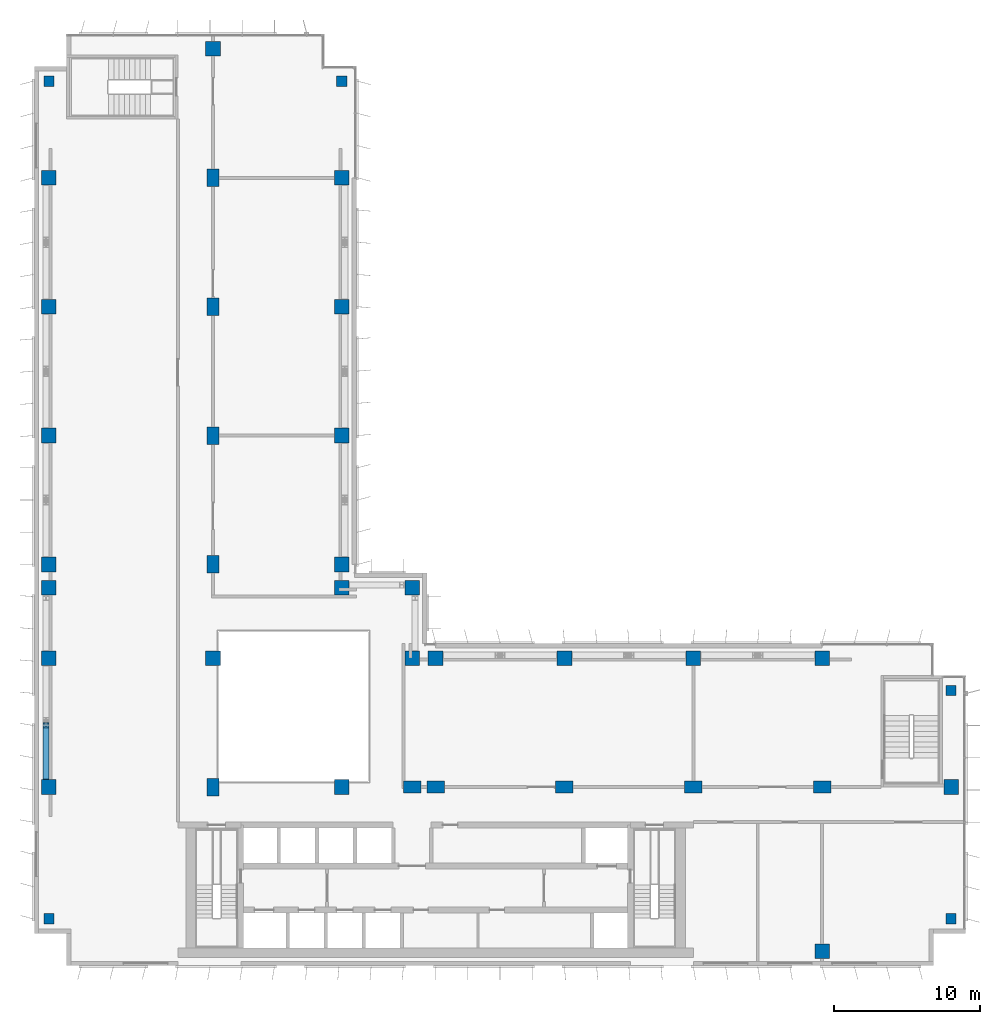
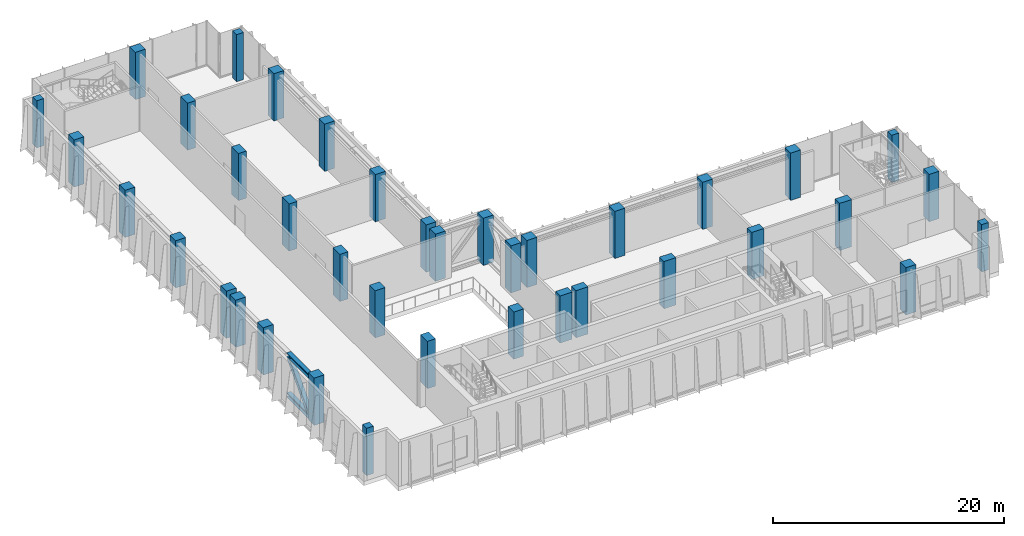
# One storey, part 1 of 17: 38 columns, 2 beams, 1 member.
"""IFC4 building model written with IfcOpenShell, lengths in metres."""

from ifc_helpers import new_model, si_unit, direction, frame, origin, origin_2d, place, context, subcontext, project, spatial, rectangle, i_section, extrude, material, material_profile, profile_set, type_object, element, save


model = new_model("IFC4")

# Units and contexts
model_context = context("Model", 3, precision=1e-05, world=origin(), true_north=direction((0.0, 1.0)))
body_context = subcontext(model_context, "Body", "Model", "MODEL_VIEW")
ifc_project = project(units=[si_unit("LENGTHUNIT", "METRE"), si_unit("AREAUNIT", "SQUARE_METRE"), si_unit("VOLUMEUNIT", "CUBIC_METRE"), si_unit("PLANEANGLEUNIT", "RADIAN"), si_unit("MASSUNIT", "GRAM", prefix="KILO")], contexts=[model_context])

# Site, building, storey
site_placement = place(None, origin())
site = spatial("IfcSite", under=ifc_project, at=site_placement, CompositionType="ELEMENT")
building_placement = place(site_placement, origin())
building = spatial("IfcBuilding", under=site, at=building_placement, Name="Kemantara Hotel Tower", CompositionType="ELEMENT")
storey_placement = place(building_placement, frame((0.0, 0.0, 193.800048828125)))
storey = spatial("IfcBuildingStorey", under=building, at=storey_placement, Name="L48", CompositionType="ELEMENT", Elevation=193.800048828125)

# Columns
ifc_material_1 = material(Name="Concrete fc 60 MPa", Category="concrete")
ifc_material_profile_1 = material_profile(ifc_material_1, rectangle(XDim=1.0, YDim=1.0, at=origin_2d()), Name="RC 1000X1000")
ifc_profile_set_1 = profile_set([ifc_material_profile_1], Name="Concrete fc 60 MPa")
column_type_1 = type_object("IfcColumnType", Name="RC COLUMN 1000X1000 FC60", PredefinedType="COLUMN", material=ifc_profile_set_1)
for number, where, z_axis, x_axis, name in (
    (1, (1.0, 12.199951171875, 0.0), (0.0, 0.0, 1.0), (1.0, 0.0, 0.0), "COLUMN 1/BA L48"),
    (2, (1.0, 21.0, 0.0), (0.0, 0.0, 1.0), (1.0, 0.0, 0.0), "COLUMN 1/C L48"),
    (3, (1.0, 25.800048828125, 0.0), (0.0, 0.0, 1.0), (1.0, 0.0, 0.0), "COLUMN 1/CA L48"),
    (4, (1.0, 27.39990234375, 0.0), (0.0, 0.0, 1.0), (1.0, 0.0, 0.0), "COLUMN 1/D L48"),
    (5, (1.0, 36.199951171875, 0.0), (0.0, 0.0, 1.0), (1.0, 0.0, 0.0), "COLUMN 1/E L48"),
    (6, (1.0, 45.0, 0.0), (0.0, 0.0, 1.0), (1.0, 0.0, 0.0), "COLUMN 1/F L48"),
    (7, (1.0, 53.800048828125, 0.0), (0.0, 0.0, 1.0), (1.0, 0.0, 0.0), "COLUMN 1/G L48"),
    (8, (12.199951171875, 21.0, 0.0), (0.0, 0.0, 1.0), (1.0, 0.0, 0.0), "COLUMN 2A/C L48"),
    (9, (12.199951171875, 62.60009765625, 0.0), (0.0, 0.0, 1.0), (1.0, 0.0, 0.0), "COLUMN 2A/H L48"),
    (10, (21.0, 12.199951171875, 0.0), (0.0, 0.0, 1.0), (1.0, 0.0, 0.0), "COLUMN 3/BA L48"),
    (11, (21.0, 25.800048828125, 0.0), (0.0, 0.0, 1.0), (1.0, 0.0, 0.0), "COLUMN 3/CA L48"),
    (12, (21.0, 27.39990234375, 0.0), (0.0, 0.0, 1.0), (1.0, 0.0, 0.0), "COLUMN 3/D L48"),
    (13, (21.0, 36.199951171875, 0.0), (0.0, 0.0, 1.0), (1.0, 0.0, 0.0), "COLUMN 3/E L48"),
    (14, (21.0, 45.0, 0.0), (0.0, 0.0, 1.0), (1.0, 0.0, 0.0), "COLUMN 3/F L48"),
    (15, (21.0, 53.800048828125, 0.0), (0.0, 0.0, 1.0), (1.0, 0.0, 0.0), "COLUMN 3/G L48"),
    (16, (25.800048828125, 21.0, 0.0), (0.0, 0.0, 1.0), (1.0, 0.0, 0.0), "COLUMN 3A/C L48"),
    (17, (25.800048828125, 25.800048828125, 0.0), (0.0, 0.0, 1.0), (1.0, 0.0, 0.0), "COLUMN 3A/CA L48"),
    (18, (27.39990234375, 21.0, 0.0), (0.0, 0.0, 1.0), (1.0, 0.0, 0.0), "COLUMN 4/C L48"),
    (19, (36.199951171875, 21.0, 0.0), (0.0, 0.0, 1.0), (1.0, 0.0, 0.0), "COLUMN 5/C L48"),
    (20, (45.0, 21.0, 0.0), (0.0, 0.0, 1.0), (1.0, 0.0, 0.0), "COLUMN 6/C L48"),
    (21, (53.800048828125, 1.0, 0.0), (0.0, 0.0, 1.0), (1.0, 0.0, 0.0), "COLUMN 7/A L48"),
    (22, (53.800048828125, 21.0, 0.0), (0.0, 0.0, 1.0), (1.0, 0.0, 0.0), "COLUMN 7/C L48"),
    (23, (62.60009765625, 12.199951171875, 0.0), (0.0, 0.0, 1.0), (1.0, 0.0, 0.0), "COLUMN 8/BA L48"),
):
    element("IfcColumn", number, at=place(storey_placement, frame(where, z_axis=z_axis, x_axis=x_axis)), inside=storey, type_object=column_type_1, Name=name, PredefinedType="COLUMN", context=body_context, shape_type="SweptSolid", body=[
        extrude(rectangle(XDim=1.0, YDim=1.0, at=origin_2d()), origin(), (0.0, 0.0, 1.0), 5.0),
    ])
ifc_material_profile_2 = material_profile(ifc_material_1, rectangle(XDim=1.199951171875, YDim=0.800048828125, at=origin_2d()), Name="RC 1200X800")
ifc_profile_set_2 = profile_set([ifc_material_profile_2], Name="Concrete fc 60 MPa")
column_type_2 = type_object("IfcColumnType", Name="RC COLUMN 1200X800 FC60", PredefinedType="COLUMN", material=ifc_profile_set_2)
for number, where, z_axis, x_axis, name in (
    (24, (12.199951171875, 12.199951171875, 0.0), (0.0, 0.0, 1.0), (0.0, 1.0, 0.0), "COLUMN 2A/BA L48"),
    (25, (12.199951171875, 27.39990234375, 0.0), (0.0, 0.0, 1.0), (0.0, 1.0, 0.0), "COLUMN 2A/D L48"),
    (26, (12.199951171875, 36.199951171875, 0.0), (0.0, 0.0, 1.0), (0.0, 1.0, 0.0), "COLUMN 2A/E L48"),
    (27, (12.199951171875, 45.0, 0.0), (0.0, 0.0, 1.0), (0.0, 1.0, 0.0), "COLUMN 2A/F L48"),
    (28, (12.199951171875, 53.800048828125, 0.0), (0.0, 0.0, 1.0), (0.0, 1.0, 0.0), "COLUMN 2A/G L48"),
    (29, (25.800048828125, 12.199951171875, 0.0), (0.0, 0.0, 1.0), (1.0, 0.0, 0.0), "COLUMN 3A/BA L48"),
    (30, (27.39990234375, 12.199951171875, 0.0), (0.0, 0.0, 1.0), (1.0, 0.0, 0.0), "COLUMN 4/BA L48"),
    (31, (36.199951171875, 12.199951171875, 0.0), (0.0, 0.0, 1.0), (1.0, 0.0, 0.0), "COLUMN 5/BA L48"),
    (32, (45.0, 12.199951171875, 0.0), (0.0, 0.0, 1.0), (1.0, 0.0, 0.0), "COLUMN 6/BA L48"),
    (33, (53.800048828125, 12.199951171875, 0.0), (0.0, 0.0, 1.0), (1.0, 0.0, 0.0), "COLUMN 7/BA L48"),
):
    element("IfcColumn", number, at=place(storey_placement, frame(where, z_axis=z_axis, x_axis=x_axis)), inside=storey, type_object=column_type_2, Name=name, PredefinedType="COLUMN", context=body_context, shape_type="SweptSolid", body=[
        extrude(rectangle(XDim=1.199951171875, YDim=0.800048828125, at=origin_2d()), origin(), (0.0, 0.0, 1.0), 5.0),
    ])
ifc_material_profile_3 = material_profile(ifc_material_1, rectangle(XDim=0.699951171875, YDim=0.699951171875, at=origin_2d()), Name="RC 700X700")
ifc_profile_set_3 = profile_set([ifc_material_profile_3], Name="Concrete fc 60 MPa")
column_type_3 = type_object("IfcColumnType", Name="RC COLUMN 700X700 FC60", PredefinedType="COLUMN", material=ifc_profile_set_3)
for number, where, z_axis, x_axis, name in (
    (34, (1.0, 3.199951171875, 0.0), (0.0, 0.0, 1.0), (1.0, 0.0, 0.0), "COLUMN notch corner L48"),
    (35, (1.0, 60.39990234375, 0.0), (0.0, 0.0, 1.0), (1.0, 0.0, 0.0), "COLUMN notch corner L48"),
    (36, (21.0, 60.39990234375, 0.0), (0.0, 0.0, 1.0), (1.0, 0.0, 0.0), "COLUMN notch corner L48"),
    (37, (62.60009765625, 3.199951171875, 0.0), (0.0, 0.0, 1.0), (1.0, 0.0, 0.0), "COLUMN notch corner L48"),
    (38, (62.60009765625, 18.800048828125, 0.0), (0.0, 0.0, 1.0), (1.0, 0.0, 0.0), "COLUMN notch corner L48"),
):
    element("IfcColumn", number, at=place(storey_placement, frame(where, z_axis=z_axis, x_axis=x_axis)), inside=storey, type_object=column_type_3, Name=name, PredefinedType="COLUMN", context=body_context, shape_type="SweptSolid", body=[
        extrude(rectangle(XDim=0.699951171875, YDim=0.699951171875, at=origin_2d()), origin(), (0.0, 0.0, 1.0), 5.0),
    ])

# Beams
ifc_material_2 = material(Name="Steel ASTM A992 Grade 50", Category="steel")
ifc_material_profile_4 = material_profile(ifc_material_2, i_section(OverallWidth=0.424072265625, OverallDepth=0.47509765625, WebThickness=0.0478515625, FlangeThickness=0.0771484375, at=origin_2d()), Name="W360X634")
ifc_profile_set_4 = profile_set([ifc_material_profile_4], Name="Steel ASTM A992 Grade 50")
beam_type = type_object("IfcBeamType", Name="BELT L48 TRUSS CHORD W360X634", PredefinedType="BEAM", material=ifc_profile_set_4)
for number, where, z_axis, x_axis, name in (
    (39, (0.800048828125, 12.699951171875, 0.237548828125), (0.0, 1.0, 0.0), (-1.0, 0.0, 0.0), "BELT L48 BAY 1 bottom chord 1"),
    (40, (0.800048828125, 12.699951171875, 4.46240234375), (0.0, 1.0, 0.0), (-1.0, 0.0, 0.0), "BELT L48 BAY 1 top chord 1"),
):
    element("IfcBeam", number, at=place(storey_placement, frame(where, z_axis=z_axis, x_axis=x_axis)), inside=storey, type_object=beam_type, Name=name, PredefinedType="BEAM", context=body_context, shape_type="SweptSolid", body=[
        extrude(i_section(OverallWidth=0.424072265625, OverallDepth=0.47509765625, WebThickness=0.0478515625, FlangeThickness=0.0771484375, at=origin_2d()), origin(), (0.0, 0.0, 1.0), 3.900146484375),
    ])

# Member
ifc_material_profile_5 = material_profile(ifc_material_2, i_section(OverallWidth=0.410888671875, OverallDepth=0.43408203125, WebThickness=0.035888671875, FlangeThickness=0.057373046875, at=origin_2d()), Name="W360X463")
ifc_profile_set_5 = profile_set([ifc_material_profile_5], Name="Steel ASTM A992 Grade 50")
member_type = type_object("IfcMemberType", Name="BELT L48 TRUSS DIAGONAL W360X463", PredefinedType="BRACE", material=ifc_profile_set_5)
member_placement = place(storey_placement, frame((0.800048828125, 12.898193359375, 0.4521484375), z_axis=(0.0, 0.678278139711, 0.734805256643), x_axis=(-1.0, 0.0, 0.0)))
element("IfcMember", 41, at=member_placement, inside=storey, type_object=member_type, Name="BELT L48 BAY 1 diagonal 1", PredefinedType="BRACE", context=body_context, shape_type="SweptSolid", body=[
    extrude(i_section(OverallWidth=0.410888671875, OverallDepth=0.43408203125, WebThickness=0.035888671875, FlangeThickness=0.057373046875, at=origin_2d()), origin(), (0.0, 0.0, 1.0), 5.16552734375),
])

save(model, "model.ifc")
